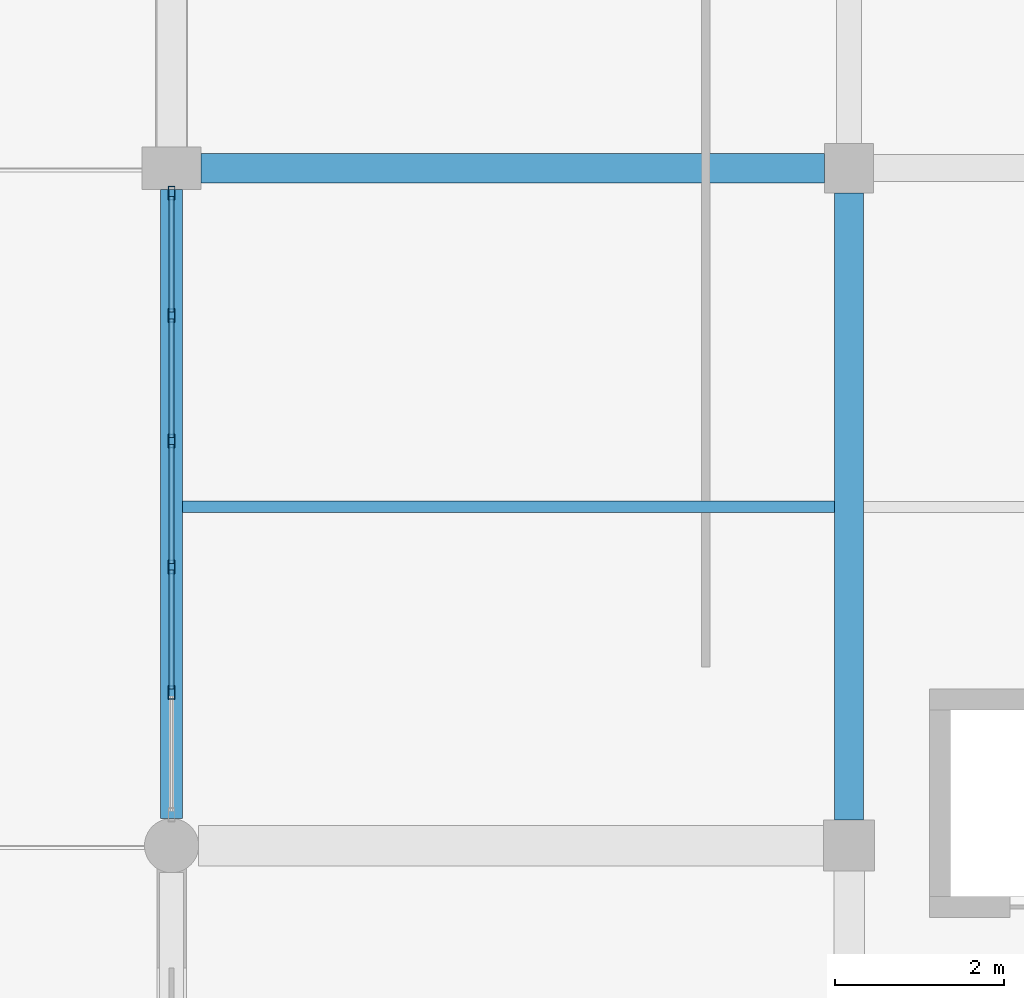
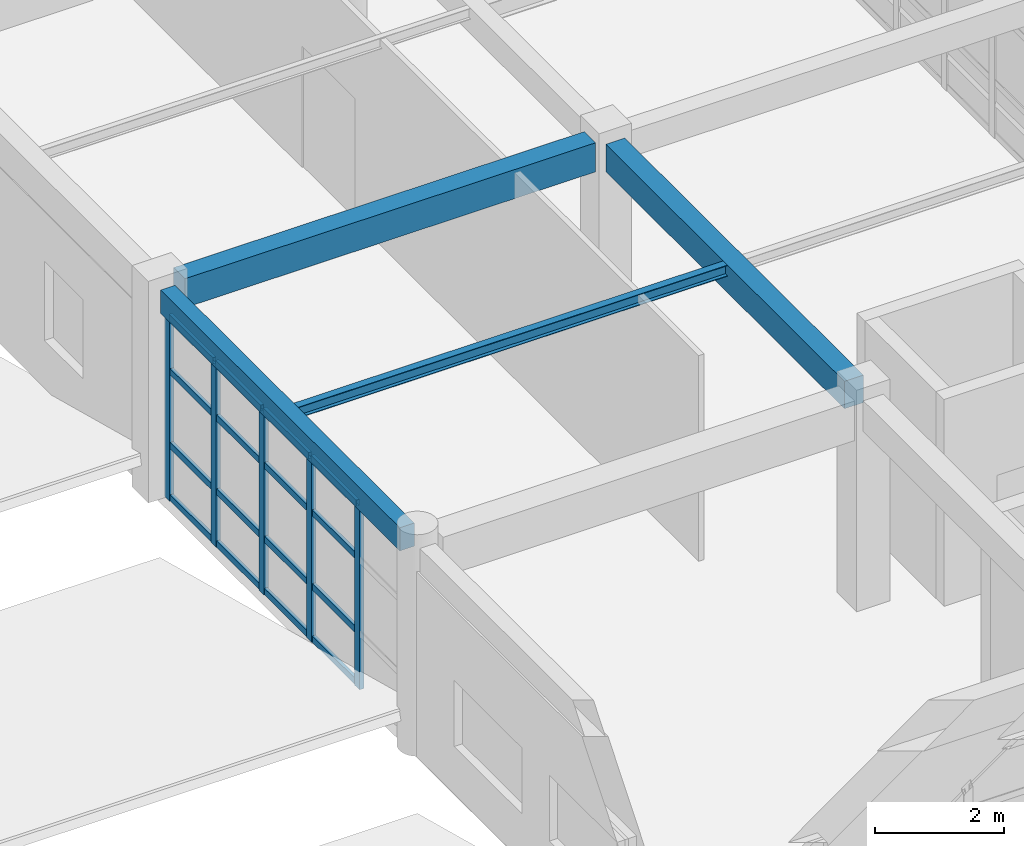
# One storey, part 29 of 121: 21 members, 4 beams, 1 element without a shape of its own.
"""IFC4 building model written with IfcOpenShell, lengths in metres."""

import ifcopenshell
import ifcopenshell.guid

model = None  # the IFC model being written
_history = None  # IfcOwnerHistory: only IFC2X3 demands one
_inside = {}  # id of a spatial element -> (the spatial element, [elements in it])
_under = {}  # id of a project, library or spatial element -> (it, [spatial elements below it])
_declared = {}  # id of a project -> (the project, [libraries it declares])
_typed = {}  # id of a type object -> (the type object, [elements of that type])
_made_of = {}  # id of a material, layer set ... -> (it, [elements and type objects made of it])


def new_model(schema):
    """Start an empty IFC model of exactly this schema.

    Asked for "IFC4X3", IfcOpenShell would pick the latest addendum, in which some entities
    have other attributes; the version numbers below select the first issue.
    IFC2X3 requires an IfcOwnerHistory on every rooted entity: one is made here for all.
    """
    global model, _history
    if schema == "IFC4X3":
        model = ifcopenshell.file(schema_version=(4, 3, 0, 0))
    else:
        model = ifcopenshell.file(schema=schema)
    _inside.clear()
    _under.clear()
    _declared.clear()
    _typed.clear()
    _made_of.clear()
    _history = None
    if model.schema == "IFC2X3":
        org = make("IfcOrganization", Name="unknown")
        user = make(
            "IfcPersonAndOrganization",
            ThePerson=make("IfcPerson", FamilyName="unknown"),
            TheOrganization=org,
        )
        app = make(
            "IfcApplication",
            ApplicationDeveloper=org,
            Version="unknown",
            ApplicationFullName="unknown",
            ApplicationIdentifier="unknown",
        )
        _history = make(
            "IfcOwnerHistory",
            OwningUser=user,
            OwningApplication=app,
            ChangeAction="ADDED",
            CreationDate=0,
        )
    return model


def make(cls, **values):
    """One entity of the class cls with the attributes given. An attribute that is None is left unset."""
    return model.create_entity(
        cls, **{name: value for name, value in values.items() if value is not None}
    )


def rooted(cls, **values):
    """An entity with a GlobalId (a new one), such as an element, a storey or a relation."""
    return make(cls, GlobalId=ifcopenshell.guid.new(), OwnerHistory=_history, **values)


def si_unit(unit_type, name, prefix=None):
    """IfcSIUnit, for example si_unit("LENGTHUNIT", "METRE", prefix="MILLI")."""
    return make("IfcSIUnit", UnitType=unit_type, Prefix=prefix, Name=name)


def assignment(units):
    """IfcUnitAssignment: the units of a project."""
    return None if units is None else make("IfcUnitAssignment", Units=units)


def point(xyz):
    """IfcCartesianPoint."""
    return None if xyz is None else make("IfcCartesianPoint", Coordinates=xyz)


def direction(xyz):
    """IfcDirection."""
    return None if xyz is None else make("IfcDirection", DirectionRatios=xyz)


def frame(location, z_axis=None, x_axis=None):
    """IfcAxis2Placement3D, a coordinate frame: its origin and axes. An axis left out is left unset."""
    return make(
        "IfcAxis2Placement3D",
        Location=point(location),
        Axis=direction(z_axis),
        RefDirection=direction(x_axis),
    )


def frame_2d(location, x_axis=None):
    """IfcAxis2Placement2D, a coordinate frame in the plane: its origin and x axis."""
    return make(
        "IfcAxis2Placement2D", Location=point(location), RefDirection=direction(x_axis)
    )


def origin():
    """The frame at (0, 0, 0) with its axes left unset."""
    return frame((0.0, 0.0, 0.0))


def origin_2d():
    """The frame at (0, 0) in the plane with its x axis left unset."""
    return frame_2d((0.0, 0.0))


def place(relative_to, where):
    """IfcLocalPlacement: puts the frame where relative to a parent placement (None: the world)."""
    return make(
        "IfcLocalPlacement", PlacementRelTo=relative_to, RelativePlacement=where
    )


def context(
    kind, dimensions, precision=None, world=None, true_north=None, identifier=None
):
    """IfcGeometricRepresentationContext, for example the 3D "Model" context."""
    return make(
        "IfcGeometricRepresentationContext",
        ContextIdentifier=identifier,
        ContextType=kind,
        CoordinateSpaceDimension=dimensions,
        Precision=precision,
        WorldCoordinateSystem=world,
        TrueNorth=true_north,
    )


def subcontext(parent, identifier, kind, view, scale=None):
    """IfcGeometricRepresentationSubContext, for example "Body" below "Model"."""
    return make(
        "IfcGeometricRepresentationSubContext",
        ContextIdentifier=identifier,
        ContextType=kind,
        ParentContext=parent,
        TargetScale=scale,
        TargetView=view,
    )


def project(units=None, contexts=None):
    """IfcProject with its units and contexts."""
    return rooted(
        "IfcProject",
        Name="project",
        RepresentationContexts=contexts,
        UnitsInContext=assignment(units),
    )


def spatial(cls, under=None, at=None, **own):
    """A site, building, storey or space (cls), placed at a placement, below another one or the project."""
    s = rooted(cls, ObjectPlacement=at, **own)
    if under is not None:
        _under.setdefault(under.id(), (under, []))[1].append(s)
    return s


def profile(cls, at=None, kind="AREA", **sizes):
    """A parametric profile (cls). Its sizes go by their IFC names, for example OverallWidth=200.0."""
    return make(cls, ProfileType=kind, Position=at, **sizes)


def rectangle(**sizes):
    """IfcRectangleProfileDef."""
    return profile("IfcRectangleProfileDef", **sizes)


def hollow_rectangle(**sizes):
    """IfcRectangleHollowProfileDef."""
    return profile("IfcRectangleHollowProfileDef", **sizes)


def i_section(**sizes):
    """IfcIShapeProfileDef."""
    return profile("IfcIShapeProfileDef", **sizes)


def extrude(swept, where, along, depth):
    """IfcExtrudedAreaSolid: the profile swept, set in the frame where, extruded along a direction by depth."""
    return make(
        "IfcExtrudedAreaSolid",
        SweptArea=swept,
        Position=where,
        ExtrudedDirection=direction(along),
        Depth=depth,
    )


def shape(context_of_items, identifier, shape_type, items):
    """IfcShapeRepresentation: the items that make up one representation, for example the "Body"."""
    return make(
        "IfcShapeRepresentation",
        ContextOfItems=context_of_items,
        RepresentationIdentifier=identifier,
        RepresentationType=shape_type,
        Items=items,
    )


def material(Name=None, Category=None):
    """IfcMaterial."""
    return make("IfcMaterial", Name=Name, Category=Category)


def material_profile(
    of_material, cross_section, Name=None, Category=None, Priority=None
):
    """IfcMaterialProfile: a cross section and its material."""
    return make(
        "IfcMaterialProfile",
        Name=Name,
        Material=of_material,
        Profile=cross_section,
        Priority=Priority,
        Category=Category,
    )


def profile_set(profiles, Name=None, composite=None):
    """IfcMaterialProfileSet."""
    return make(
        "IfcMaterialProfileSet",
        Name=Name,
        MaterialProfiles=profiles,
        CompositeProfile=composite,
    )


def made_of(thing, what):
    """Note that an element or type object is made of a material, layer set ...; save() writes the relation."""
    if what is not None:
        _made_of.setdefault(what.id(), (what, []))[1].append(thing)
    return thing


def type_object(cls, material=None, **own):
    """A type object (cls), such as IfcWallType, which elements share."""
    return made_of(rooted(cls, **own), material)


def element(
    cls,
    number,
    at=None,
    inside=None,
    cuts=None,
    type_object=None,
    material=None,
    context=None,
    identifier="Body",
    shape_type=None,
    held_by="IfcProductDefinitionShape",
    body=None,
    shapes=None,
    **own,
):
    """One element of the class cls, such as IfcWall. Its Tag is "e" and its number.

    at: its placement. inside: the storey or other place that contains it. cuts: it is an
    opening in that element (IfcRelVoidsElement). A single representation is given by context,
    identifier, shape_type and body (its items); several are given by shapes. held_by: the class
    of the entity that holds the representations. save() writes the other relations.
    """
    e = rooted(cls, Tag="e%d" % number, ObjectPlacement=at, **own)
    if body is not None:
        shapes = [shape(context, identifier, shape_type, body)]
    if shapes is not None:
        e.Representation = make(held_by, Representations=shapes)
    if inside is not None:
        _inside.setdefault(inside.id(), (inside, []))[1].append(e)
    if cuts is not None:
        rooted(
            "IfcRelVoidsElement", RelatingBuildingElement=cuts, RelatedOpeningElement=e
        )
    if type_object is not None:
        _typed.setdefault(type_object.id(), (type_object, []))[1].append(e)
    return made_of(e, material)


def aggregate(whole, parts):
    """IfcRelAggregates: a whole, such as a stair, and the parts it consists of."""
    return rooted("IfcRelAggregates", RelatingObject=whole, RelatedObjects=parts)


def save(model, path):
    """Write the relations noted so far, then the file.

    IfcRelAggregates (storeys below a building ...), IfcRelContainedInSpatialStructure (elements
    in a storey), IfcRelDefinesByType, IfcRelAssociatesMaterial and IfcRelDeclares: one each for
    every whole, place, type object, material and project.
    """
    for whole, parts in _under.values():
        aggregate(whole, parts)
    for where, things in _inside.values():
        rooted(
            "IfcRelContainedInSpatialStructure",
            RelatedElements=things,
            RelatingStructure=where,
        )
    for kind, things in _typed.values():
        rooted("IfcRelDefinesByType", RelatedObjects=things, RelatingType=kind)
    for what, things in _made_of.values():
        rooted("IfcRelAssociatesMaterial", RelatedObjects=things, RelatingMaterial=what)
    for by, libraries in _declared.values():
        rooted("IfcRelDeclares", RelatingContext=by, RelatedDefinitions=libraries)
    model.write(path)


model = new_model("IFC4")

# Units and contexts
model_context = context("Model", 3, precision=1e-05, world=origin(), true_north=direction((0.0, 1.0)))
body_context = subcontext(model_context, "Body", "Model", "MODEL_VIEW")
ifc_project = project(units=[si_unit("LENGTHUNIT", "METRE"), si_unit("AREAUNIT", "SQUARE_METRE"), si_unit("VOLUMEUNIT", "CUBIC_METRE"), si_unit("PLANEANGLEUNIT", "RADIAN"), si_unit("MASSUNIT", "GRAM", prefix="KILO")], contexts=[model_context])

# Site, building, storey
site_placement = place(None, origin())
site = spatial("IfcSite", under=ifc_project, at=site_placement, CompositionType="ELEMENT")
building_placement = place(site_placement, origin())
building = spatial("IfcBuilding", under=site, at=building_placement, Name="Kharva Crest Polytechnic", CompositionType="ELEMENT")
storey_placement = place(building_placement, frame((0.0, 0.0, 13.199951171875)))
storey = spatial("IfcBuildingStorey", under=building, at=storey_placement, Name="L03", CompositionType="ELEMENT", Elevation=13.199951171875)

# Beams
ifc_material_1 = material(Name="Concrete C35/45", Category="concrete")
ifc_material_profile_1 = material_profile(ifc_material_1, rectangle(XDim=0.340087890625, YDim=0.52001953125, at=origin_2d()), Name="RECT 340 X 520")
ifc_profile_set_1 = profile_set([ifc_material_profile_1], Name="Concrete C35/45")
beam_type_1 = type_object("IfcBeamType", Name="BM-RC-340X520", PredefinedType="BEAM", material=ifc_profile_set_1)
beam_1_placement = place(storey_placement, frame((40.0, 47.10009765625, 3.699951171875), z_axis=(0.0, 1.0, 0.0), x_axis=(-1.0, 0.0, 0.0)))
element("IfcBeam", 1, at=beam_1_placement, inside=storey, type_object=beam_type_1, Name="L03 Girder 6/G-H", PredefinedType="BEAM", context=body_context, shape_type="SweptSolid", body=[
    extrude(rectangle(XDim=0.340087890625, YDim=0.52001953125, at=origin_2d()), origin(), (0.0, 0.0, 1.0), 7.409912109375),
])
ifc_material_profile_2 = material_profile(ifc_material_1, rectangle(XDim=0.35009765625, YDim=0.550048828125, at=origin_2d()), Name="RECT 350 X 550")
ifc_profile_set_2 = profile_set([ifc_material_profile_2], Name="Concrete C35/45")
beam_type_2 = type_object("IfcBeamType", Name="BM-RC-350X550", PredefinedType="BEAM", material=ifc_profile_set_2)
beam_2_placement = place(storey_placement, frame((32.35009765625, 54.800048828125, 3.68505859375), z_axis=(1.0, 0.0, 0.0), x_axis=(0.0, 1.0, 0.0)))
element("IfcBeam", 2, at=beam_2_placement, inside=storey, type_object=beam_type_2, Name="L03 Beam H/5-6", PredefinedType="BEAM", context=body_context, shape_type="SweptSolid", body=[
    extrude(rectangle(XDim=0.35009765625, YDim=0.550048828125, at=origin_2d()), origin(), (0.0, 0.0, 1.0), 7.35986328125),
])
ifc_material_2 = material(Name="Steel S355", Category="steel")
ifc_material_profile_3 = material_profile(ifc_material_2, i_section(OverallWidth=0.134033203125, OverallDepth=0.2099609375, WebThickness=0.00634765625, FlangeThickness=0.01025390625, at=origin_2d()), Name="W200X31.3")
ifc_profile_set_3 = profile_set([ifc_material_profile_3], Name="Steel S355")
beam_type_3 = type_object("IfcBeamType", Name="BM-STL-W200X31", PredefinedType="JOIST", material=ifc_profile_set_3)
beam_3_placement = place(storey_placement, frame((32.1298828125, 50.800048828125, 3.85498046875), z_axis=(1.0, 0.0, 0.0), x_axis=(0.0, 1.0, 0.0)))
element("IfcBeam", 3, at=beam_3_placement, inside=storey, type_object=beam_type_3, Name="L03 Floor Joist 1", PredefinedType="JOIST", context=body_context, shape_type="SweptSolid", body=[
    extrude(i_section(OverallWidth=0.134033203125, OverallDepth=0.2099609375, WebThickness=0.00634765625, FlangeThickness=0.01025390625, at=origin_2d()), origin(), (0.0, 0.0, 1.0), 7.7001953125),
])

# Curtain wall, members
ifc_material_3 = material(Name="Tempered insulated glass", Category="glass")
curtain_wall_type = type_object("IfcCurtainWallType", Name="CW-SYS-COURT", PredefinedType="USERDEFINED", material=ifc_material_3)
curtain_wall_placement = place(storey_placement, origin())
curtain_wall = element("IfcCurtainWall", 4, at=curtain_wall_placement, inside=storey, type_object=curtain_wall_type, Name="L03 Glazed Curtain Wall CW-168", ObjectType="CURTAIN WALL", PredefinedType="USERDEFINED")
ifc_material_profile_4 = material_profile(ifc_material_2, hollow_rectangle(XDim=0.080078125, YDim=0.159912109375, WallThickness=0.0048828125, at=origin_2d()), Name="RHS 160X80X5.0")
ifc_profile_set_4 = profile_set([ifc_material_profile_4], Name="Steel S355")
member_type_1 = type_object("IfcMemberType", Name="CWM-RHS160X80", PredefinedType="MULLION", material=ifc_profile_set_4)
member_1_placement = place(storey_placement, frame((32.0, 54.5048828125, 0.0), z_axis=(0.0, 0.0, 1.0), x_axis=(1.0, 0.0, 0.0)))
member_1 = element("IfcMember", 5, at=member_1_placement, type_object=member_type_1, Name="CW-168 mullion 1", PredefinedType="MULLION", context=body_context, shape_type="SweptSolid", body=[
    extrude(hollow_rectangle(XDim=0.080078125, YDim=0.159912109375, WallThickness=0.0048828125, at=origin_2d()), origin(), (0.0, 0.0, 1.0), 3.52001953125),
])
member_2_placement = place(storey_placement, frame((32.0, 53.06103515625, 0.0), z_axis=(0.0, 0.0, 1.0), x_axis=(1.0, 0.0, 0.0)))
member_2 = element("IfcMember", 6, at=member_2_placement, type_object=member_type_1, Name="CW-168 mullion 2", PredefinedType="MULLION", context=body_context, shape_type="SweptSolid", body=[
    extrude(hollow_rectangle(XDim=0.080078125, YDim=0.159912109375, WallThickness=0.0048828125, at=origin_2d()), origin(), (0.0, 0.0, 1.0), 3.52001953125),
])
member_3_placement = place(storey_placement, frame((32.0, 51.576904296875, 0.0), z_axis=(0.0, 0.0, 1.0), x_axis=(1.0, 0.0, 0.0)))
member_3 = element("IfcMember", 7, at=member_3_placement, type_object=member_type_1, Name="CW-168 mullion 3", PredefinedType="MULLION", context=body_context, shape_type="SweptSolid", body=[
    extrude(hollow_rectangle(XDim=0.080078125, YDim=0.159912109375, WallThickness=0.0048828125, at=origin_2d()), origin(), (0.0, 0.0, 1.0), 3.52001953125),
])
member_4_placement = place(storey_placement, frame((32.0, 50.093017578125, 0.0), z_axis=(0.0, 0.0, 1.0), x_axis=(1.0, 0.0, 0.0)))
member_4 = element("IfcMember", 8, at=member_4_placement, type_object=member_type_1, Name="CW-168 mullion 4", PredefinedType="MULLION", context=body_context, shape_type="SweptSolid", body=[
    extrude(hollow_rectangle(XDim=0.080078125, YDim=0.159912109375, WallThickness=0.0048828125, at=origin_2d()), origin(), (0.0, 0.0, 1.0), 3.52001953125),
])
member_5_placement = place(storey_placement, frame((32.0, 48.60888671875, 0.0), z_axis=(0.0, 0.0, 1.0), x_axis=(1.0, 0.0, 0.0)))
member_5 = element("IfcMember", 9, at=member_5_placement, type_object=member_type_1, Name="CW-168 mullion 5", PredefinedType="MULLION", context=body_context, shape_type="SweptSolid", body=[
    extrude(hollow_rectangle(XDim=0.080078125, YDim=0.159912109375, WallThickness=0.0048828125, at=origin_2d()), origin(), (0.0, 0.0, 1.0), 3.52001953125),
])
ifc_material_profile_5 = material_profile(ifc_material_2, hollow_rectangle(XDim=0.06005859375, YDim=0.1201171875, WallThickness=0.00390625, at=origin_2d()), Name="RHS 120X60X4.0")
ifc_profile_set_5 = profile_set([ifc_material_profile_5], Name="Steel S355")
member_type_2 = type_object("IfcMemberType", Name="CWT-RHS120X60", PredefinedType="USERDEFINED", material=ifc_profile_set_5)
member_6_placement = place(storey_placement, frame((32.0, 54.465087890625, 0.06005859375), z_axis=(0.0, -1.0, 0.0), x_axis=(1.0, 0.0, 0.0)))
member_6 = element("IfcMember", 10, at=member_6_placement, type_object=member_type_2, Name="CW-168 transom 1.1", ObjectType="TRANSOM", PredefinedType="USERDEFINED", context=body_context, shape_type="SweptSolid", body=[
    extrude(hollow_rectangle(XDim=0.06005859375, YDim=0.1201171875, WallThickness=0.00390625, at=origin_2d()), origin(), (0.0, 0.0, 1.0), 1.364013671875),
])
member_7_placement = place(storey_placement, frame((32.0, 54.465087890625, 1.050048828125), z_axis=(0.0, -1.0, 0.0), x_axis=(1.0, 0.0, 0.0)))
member_7 = element("IfcMember", 11, at=member_7_placement, type_object=member_type_2, Name="CW-168 transom 1.2", ObjectType="TRANSOM", PredefinedType="USERDEFINED", context=body_context, shape_type="SweptSolid", body=[
    extrude(hollow_rectangle(XDim=0.06005859375, YDim=0.1201171875, WallThickness=0.00390625, at=origin_2d()), origin(), (0.0, 0.0, 1.0), 1.364013671875),
])
member_8_placement = place(storey_placement, frame((32.0, 54.465087890625, 2.449951171875), z_axis=(0.0, -1.0, 0.0), x_axis=(1.0, 0.0, 0.0)))
member_8 = element("IfcMember", 12, at=member_8_placement, type_object=member_type_2, Name="CW-168 transom 1.3", ObjectType="TRANSOM", PredefinedType="USERDEFINED", context=body_context, shape_type="SweptSolid", body=[
    extrude(hollow_rectangle(XDim=0.06005859375, YDim=0.1201171875, WallThickness=0.00390625, at=origin_2d()), origin(), (0.0, 0.0, 1.0), 1.364013671875),
])
member_9_placement = place(storey_placement, frame((32.0, 54.465087890625, 3.4599609375), z_axis=(0.0, -1.0, 0.0), x_axis=(1.0, 0.0, 0.0)))
member_9 = element("IfcMember", 13, at=member_9_placement, type_object=member_type_2, Name="CW-168 transom 1.4", ObjectType="TRANSOM", PredefinedType="USERDEFINED", context=body_context, shape_type="SweptSolid", body=[
    extrude(hollow_rectangle(XDim=0.06005859375, YDim=0.1201171875, WallThickness=0.00390625, at=origin_2d()), origin(), (0.0, 0.0, 1.0), 1.364013671875),
])
member_10_placement = place(storey_placement, frame((32.0, 53.02099609375, 0.06005859375), z_axis=(0.0, -1.0, 0.0), x_axis=(1.0, 0.0, 0.0)))
member_10 = element("IfcMember", 14, at=member_10_placement, type_object=member_type_2, Name="CW-168 transom 2.1", ObjectType="TRANSOM", PredefinedType="USERDEFINED", context=body_context, shape_type="SweptSolid", body=[
    extrude(hollow_rectangle(XDim=0.06005859375, YDim=0.1201171875, WallThickness=0.00390625, at=origin_2d()), origin(), (0.0, 0.0, 1.0), 1.404052734375),
])
member_11_placement = place(storey_placement, frame((32.0, 53.02099609375, 1.050048828125), z_axis=(0.0, -1.0, 0.0), x_axis=(1.0, 0.0, 0.0)))
member_11 = element("IfcMember", 15, at=member_11_placement, type_object=member_type_2, Name="CW-168 transom 2.2", ObjectType="TRANSOM", PredefinedType="USERDEFINED", context=body_context, shape_type="SweptSolid", body=[
    extrude(hollow_rectangle(XDim=0.06005859375, YDim=0.1201171875, WallThickness=0.00390625, at=origin_2d()), origin(), (0.0, 0.0, 1.0), 1.404052734375),
])
member_12_placement = place(storey_placement, frame((32.0, 53.02099609375, 2.449951171875), z_axis=(0.0, -1.0, 0.0), x_axis=(1.0, 0.0, 0.0)))
member_12 = element("IfcMember", 16, at=member_12_placement, type_object=member_type_2, Name="CW-168 transom 2.3", ObjectType="TRANSOM", PredefinedType="USERDEFINED", context=body_context, shape_type="SweptSolid", body=[
    extrude(hollow_rectangle(XDim=0.06005859375, YDim=0.1201171875, WallThickness=0.00390625, at=origin_2d()), origin(), (0.0, 0.0, 1.0), 1.404052734375),
])
member_13_placement = place(storey_placement, frame((32.0, 53.02099609375, 3.4599609375), z_axis=(0.0, -1.0, 0.0), x_axis=(1.0, 0.0, 0.0)))
member_13 = element("IfcMember", 17, at=member_13_placement, type_object=member_type_2, Name="CW-168 transom 2.4", ObjectType="TRANSOM", PredefinedType="USERDEFINED", context=body_context, shape_type="SweptSolid", body=[
    extrude(hollow_rectangle(XDim=0.06005859375, YDim=0.1201171875, WallThickness=0.00390625, at=origin_2d()), origin(), (0.0, 0.0, 1.0), 1.404052734375),
])
member_14_placement = place(storey_placement, frame((32.0, 51.537109375, 0.06005859375), z_axis=(0.0, -1.0, 0.0), x_axis=(1.0, 0.0, 0.0)))
member_14 = element("IfcMember", 18, at=member_14_placement, type_object=member_type_2, Name="CW-168 transom 3.1", ObjectType="TRANSOM", PredefinedType="USERDEFINED", context=body_context, shape_type="SweptSolid", body=[
    extrude(hollow_rectangle(XDim=0.06005859375, YDim=0.1201171875, WallThickness=0.00390625, at=origin_2d()), origin(), (0.0, 0.0, 1.0), 1.404052734375),
])
member_15_placement = place(storey_placement, frame((32.0, 51.537109375, 1.050048828125), z_axis=(0.0, -1.0, 0.0), x_axis=(1.0, 0.0, 0.0)))
member_15 = element("IfcMember", 19, at=member_15_placement, type_object=member_type_2, Name="CW-168 transom 3.2", ObjectType="TRANSOM", PredefinedType="USERDEFINED", context=body_context, shape_type="SweptSolid", body=[
    extrude(hollow_rectangle(XDim=0.06005859375, YDim=0.1201171875, WallThickness=0.00390625, at=origin_2d()), origin(), (0.0, 0.0, 1.0), 1.404052734375),
])
member_16_placement = place(storey_placement, frame((32.0, 51.537109375, 2.449951171875), z_axis=(0.0, -1.0, 0.0), x_axis=(1.0, 0.0, 0.0)))
member_16 = element("IfcMember", 20, at=member_16_placement, type_object=member_type_2, Name="CW-168 transom 3.3", ObjectType="TRANSOM", PredefinedType="USERDEFINED", context=body_context, shape_type="SweptSolid", body=[
    extrude(hollow_rectangle(XDim=0.06005859375, YDim=0.1201171875, WallThickness=0.00390625, at=origin_2d()), origin(), (0.0, 0.0, 1.0), 1.404052734375),
])
member_17_placement = place(storey_placement, frame((32.0, 51.537109375, 3.4599609375), z_axis=(0.0, -1.0, 0.0), x_axis=(1.0, 0.0, 0.0)))
member_17 = element("IfcMember", 21, at=member_17_placement, type_object=member_type_2, Name="CW-168 transom 3.4", ObjectType="TRANSOM", PredefinedType="USERDEFINED", context=body_context, shape_type="SweptSolid", body=[
    extrude(hollow_rectangle(XDim=0.06005859375, YDim=0.1201171875, WallThickness=0.00390625, at=origin_2d()), origin(), (0.0, 0.0, 1.0), 1.404052734375),
])
member_18_placement = place(storey_placement, frame((32.0, 50.052978515625, 0.06005859375), z_axis=(0.0, -1.0, 0.0), x_axis=(1.0, 0.0, 0.0)))
member_18 = element("IfcMember", 22, at=member_18_placement, type_object=member_type_2, Name="CW-168 transom 4.1", ObjectType="TRANSOM", PredefinedType="USERDEFINED", context=body_context, shape_type="SweptSolid", body=[
    extrude(hollow_rectangle(XDim=0.06005859375, YDim=0.1201171875, WallThickness=0.00390625, at=origin_2d()), origin(), (0.0, 0.0, 1.0), 1.404052734375),
])
member_19_placement = place(storey_placement, frame((32.0, 50.052978515625, 1.050048828125), z_axis=(0.0, -1.0, 0.0), x_axis=(1.0, 0.0, 0.0)))
member_19 = element("IfcMember", 23, at=member_19_placement, type_object=member_type_2, Name="CW-168 transom 4.2", ObjectType="TRANSOM", PredefinedType="USERDEFINED", context=body_context, shape_type="SweptSolid", body=[
    extrude(hollow_rectangle(XDim=0.06005859375, YDim=0.1201171875, WallThickness=0.00390625, at=origin_2d()), origin(), (0.0, 0.0, 1.0), 1.404052734375),
])
member_20_placement = place(storey_placement, frame((32.0, 50.052978515625, 2.449951171875), z_axis=(0.0, -1.0, 0.0), x_axis=(1.0, 0.0, 0.0)))
member_20 = element("IfcMember", 24, at=member_20_placement, type_object=member_type_2, Name="CW-168 transom 4.3", ObjectType="TRANSOM", PredefinedType="USERDEFINED", context=body_context, shape_type="SweptSolid", body=[
    extrude(hollow_rectangle(XDim=0.06005859375, YDim=0.1201171875, WallThickness=0.00390625, at=origin_2d()), origin(), (0.0, 0.0, 1.0), 1.404052734375),
])
member_21_placement = place(storey_placement, frame((32.0, 50.052978515625, 3.4599609375), z_axis=(0.0, -1.0, 0.0), x_axis=(1.0, 0.0, 0.0)))
member_21 = element("IfcMember", 25, at=member_21_placement, type_object=member_type_2, Name="CW-168 transom 4.4", ObjectType="TRANSOM", PredefinedType="USERDEFINED", context=body_context, shape_type="SweptSolid", body=[
    extrude(hollow_rectangle(XDim=0.06005859375, YDim=0.1201171875, WallThickness=0.00390625, at=origin_2d()), origin(), (0.0, 0.0, 1.0), 1.404052734375),
])
aggregate(curtain_wall, [member_1, member_2, member_3, member_4, member_5, member_6, member_7, member_8, member_9, member_10, member_11, member_12, member_13, member_14, member_15, member_16, member_17, member_18, member_19, member_20, member_21])

# Beam
ifc_material_profile_6 = material_profile(ifc_material_1, rectangle(XDim=0.260009765625, YDim=0.43994140625, at=origin_2d()), Name="RECT 260 X 440")
ifc_profile_set_6 = profile_set([ifc_material_profile_6], Name="Concrete C35/45")
beam_type_4 = type_object("IfcBeamType", Name="SP-RC-260X440", PredefinedType="SPANDREL", material=ifc_profile_set_6)
beam_4_placement = place(storey_placement, frame((32.0, 47.1201171875, 3.739990234375), z_axis=(0.0, 1.0, 0.0), x_axis=(-1.0, 0.0, 0.0)))
element("IfcBeam", 26, at=beam_4_placement, inside=storey, type_object=beam_type_4, Name="L03 Girder 5/G-H", PredefinedType="SPANDREL", context=body_context, shape_type="SweptSolid", body=[
    extrude(rectangle(XDim=0.260009765625, YDim=0.43994140625, at=origin_2d()), origin(), (0.0, 0.0, 1.0), 7.429931640625),
])

save(model, "model.ifc")
